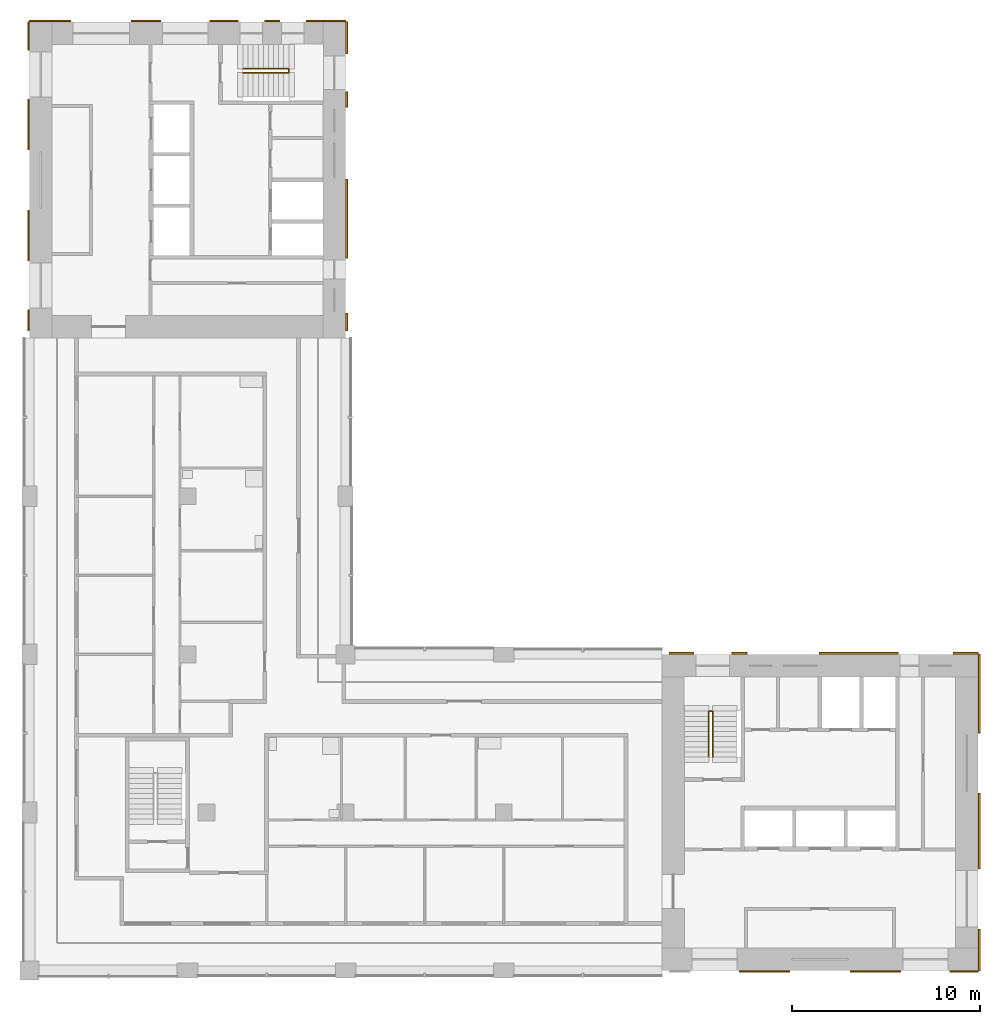
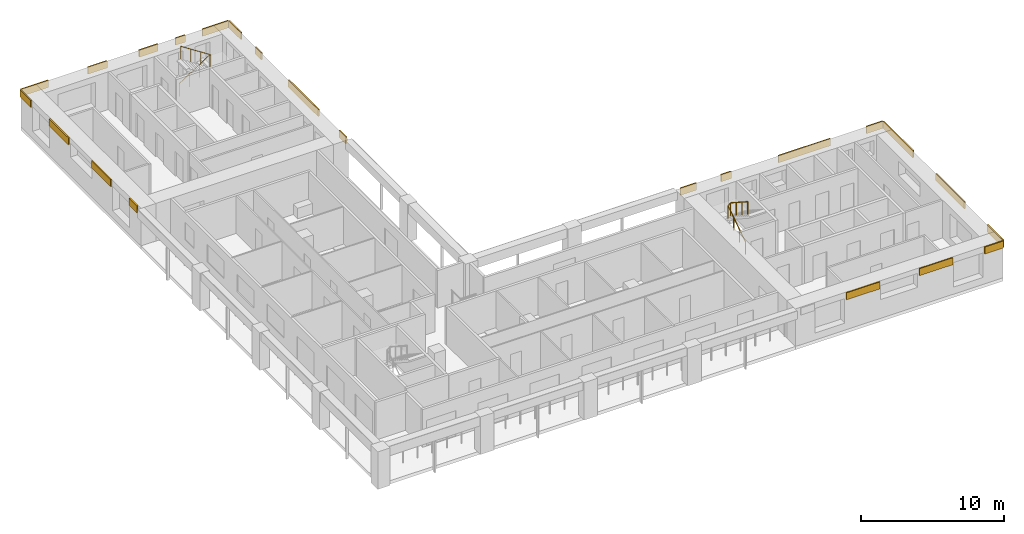
# One storey, part 8 of 9: 23 shading devices, 2 railings.
"""IFC4 building model written with IfcOpenShell, lengths in metres."""

from ifc_helpers import new_model, si_unit, direction, frame, origin, origin_2d, place, context, subcontext, project, spatial, rectangle, circle, extrude, material, layer, layer_set, type_object, element, save


model = new_model("IFC4")

# Units and contexts
model_context = context("Model", 3, precision=1e-05, world=origin(), true_north=direction((0.0, 1.0)))
body_context = subcontext(model_context, "Body", "Model", "MODEL_VIEW")
ifc_project = project(units=[si_unit("LENGTHUNIT", "METRE"), si_unit("AREAUNIT", "SQUARE_METRE"), si_unit("VOLUMEUNIT", "CUBIC_METRE"), si_unit("PLANEANGLEUNIT", "RADIAN"), si_unit("MASSUNIT", "GRAM", prefix="KILO")], contexts=[model_context])

# Site, building, storey
site_placement = place(None, origin())
site = spatial("IfcSite", under=ifc_project, at=site_placement, CompositionType="ELEMENT")
building_placement = place(site_placement, origin())
building = spatial("IfcBuilding", under=site, at=building_placement, Name="Vermilion Gate Residences", CompositionType="ELEMENT")
storey_placement = place(building_placement, frame((0.0, 0.0, 249.199951171875)))
storey = spatial("IfcBuildingStorey", under=building, at=storey_placement, Name="L65", CompositionType="ELEMENT", Elevation=249.199951171875)

# Railings
ifc_material_1 = material(Name="Steel S355", Category="steel")
railing_type = type_object("IfcRailingType", Name="STAIR GUARD 1100 STEEL", PredefinedType="GUARDRAIL", material=ifc_material_1)
railing_1_placement = place(storey_placement, frame((44.5, 19.75, 0.175048828125)))
element("IfcRailing", 1, at=railing_1_placement, inside=storey, type_object=railing_type, Name="Stair well guard STA1-65", PredefinedType="GUARDRAIL", context=body_context, shape_type="SweptSolid", body=[
    extrude(circle(Radius=0.02392578125, at=origin_2d()), frame((0.0, 0.0, 1.076171875), z_axis=(0.0, 0.839153699163, 0.543894354798), x_axis=(-1.0, 0.0, 0.0)), (0.0, 0.0, 1.0), 2.895751953125),
    extrude(circle(Radius=0.02392578125, at=origin_2d()), frame((0.0, 2.429931640625, 2.65087890625), z_axis=(0.752405939678, 0.0, 0.658699705433), x_axis=(0.0, 1.0, 0.0)), (0.0, 0.0, 1.0), 0.265869140625),
    extrude(circle(Radius=0.02392578125, at=origin_2d()), frame((0.199951171875, 2.429931640625, 2.826171875), z_axis=(0.0, -0.839153699163, 0.543894354798), x_axis=(1.0, 0.0, 0.0)), (0.0, 0.0, 1.0), 2.895751953125),
    extrude(circle(Radius=0.02099609375, at=origin_2d()), origin(), (0.0, 0.0, 1.0), 1.052001953125),
    extrude(circle(Radius=0.02099609375, at=origin_2d()), frame((0.0, 0.81005859375, 0.52490234375)), (0.0, 0.0, 1.0), 1.052001953125),
    extrude(circle(Radius=0.02099609375, at=origin_2d()), frame((0.0, 1.619873046875, 1.050048828125)), (0.0, 0.0, 1.0), 1.052001953125),
    extrude(circle(Radius=0.02099609375, at=origin_2d()), frame((0.0, 2.429931640625, 1.574951171875)), (0.0, 0.0, 1.0), 1.052001953125),
    extrude(circle(Radius=0.02099609375, at=origin_2d()), frame((0.199951171875, 2.429931640625, 1.75)), (0.0, 0.0, 1.0), 1.052001953125),
    extrude(circle(Radius=0.02099609375, at=origin_2d()), frame((0.199951171875, 1.619873046875, 2.27490234375)), (0.0, 0.0, 1.0), 1.052001953125),
    extrude(circle(Radius=0.02099609375, at=origin_2d()), frame((0.199951171875, 0.81005859375, 2.800048828125)), (0.0, 0.0, 1.0), 1.052001953125),
    extrude(circle(Radius=0.02099609375, at=origin_2d()), frame((0.199951171875, 0.0, 3.324951171875)), (0.0, 0.0, 1.0), 1.052001953125),
])
railing_2_placement = place(storey_placement, frame((19.75, 56.300048828125, 0.175048828125)))
element("IfcRailing", 2, at=railing_2_placement, inside=storey, type_object=railing_type, Name="Stair well guard STB1-65", PredefinedType="GUARDRAIL", context=body_context, shape_type="SweptSolid", body=[
    extrude(circle(Radius=0.02392578125, at=origin_2d()), frame((0.0, 0.0, 1.076171875), z_axis=(0.839153699163, 0.0, 0.543894354798), x_axis=(0.0, 1.0, 0.0)), (0.0, 0.0, 1.0), 2.895751953125),
    extrude(circle(Radius=0.02392578125, at=origin_2d()), frame((2.429931640625, 0.0, 2.65087890625), z_axis=(0.0, -0.752405939678, 0.658699705433), x_axis=(1.0, 0.0, 0.0)), (0.0, 0.0, 1.0), 0.265869140625),
    extrude(circle(Radius=0.02392578125, at=origin_2d()), frame((2.429931640625, -0.199951171875, 2.826171875), z_axis=(-0.839153699163, 0.0, 0.543894354798), x_axis=(0.0, -1.0, 0.0)), (0.0, 0.0, 1.0), 2.895751953125),
    extrude(circle(Radius=0.02099609375, at=origin_2d()), origin(), (0.0, 0.0, 1.0), 1.052001953125),
    extrude(circle(Radius=0.02099609375, at=origin_2d()), frame((0.81005859375, 0.0, 0.52490234375)), (0.0, 0.0, 1.0), 1.052001953125),
    extrude(circle(Radius=0.02099609375, at=origin_2d()), frame((1.619873046875, 0.0, 1.050048828125)), (0.0, 0.0, 1.0), 1.052001953125),
    extrude(circle(Radius=0.02099609375, at=origin_2d()), frame((2.429931640625, 0.0, 1.574951171875)), (0.0, 0.0, 1.0), 1.052001953125),
    extrude(circle(Radius=0.02099609375, at=origin_2d()), frame((2.429931640625, -0.199951171875, 1.75)), (0.0, 0.0, 1.0), 1.052001953125),
    extrude(circle(Radius=0.02099609375, at=origin_2d()), frame((1.619873046875, -0.199951171875, 2.27490234375)), (0.0, 0.0, 1.0), 1.052001953125),
    extrude(circle(Radius=0.02099609375, at=origin_2d()), frame((0.81005859375, -0.199951171875, 2.800048828125)), (0.0, 0.0, 1.0), 1.052001953125),
    extrude(circle(Radius=0.02099609375, at=origin_2d()), frame((0.0, -0.199951171875, 3.324951171875)), (0.0, 0.0, 1.0), 1.052001953125),
])

# Shading devices
ifc_material_2 = material(Name="Extruded terracotta", Category="masonry")
ifc_layer = layer(ifc_material_2, 0.10009765625)
ifc_layer_set = layer_set([ifc_layer], Name="TERRACOTTA SPANDREL BAND 600 X 100")
shading_device_type = type_object("IfcShadingDeviceType", Name="TERRACOTTA SPANDREL BAND 600 X 100", PredefinedType="USERDEFINED", material=ifc_layer_set)
for number, where, z_axis, x_axis, name in (
    (3, (47.449951171875, 8.35009765625, 2.6201171875), (0.0, 0.0, 1.0), (1.0, 0.0, 0.0), "SPANDREL BAND"),
    (4, (53.35009765625, 8.35009765625, 2.6201171875), (0.0, 0.0, 1.0), (1.0, 0.0, 0.0), "SPANDREL BAND"),
):
    element("IfcShadingDevice", number, at=place(storey_placement, frame(where, z_axis=z_axis, x_axis=x_axis)), inside=storey, type_object=shading_device_type, Name=name, ObjectType="BAND", PredefinedType="USERDEFINED", context=body_context, shape_type="SweptSolid", body=[
        extrude(rectangle(XDim=2.699951171875, YDim=0.10009765625, at=origin_2d()), origin(), (0.0, 0.0, 1.0), 0.60009765625),
    ])
shading_device_1_placement = place(storey_placement, frame((58.050048828125, 8.35009765625, 2.6201171875), z_axis=(0.0, 0.0, 1.0), x_axis=(1.0, 0.0, 0.0)))
element("IfcShadingDevice", 5, at=shading_device_1_placement, inside=storey, type_object=shading_device_type, Name="SPANDREL BAND", ObjectType="BAND", PredefinedType="USERDEFINED", context=body_context, shape_type="SweptSolid", body=[
    extrude(rectangle(XDim=1.5, YDim=0.10009765625, at=origin_2d()), origin(), (0.0, 0.0, 1.0), 0.60009765625),
])
shading_device_2_placement = place(storey_placement, frame((43.050048828125, 25.25, 2.6201171875), z_axis=(0.0, 0.0, 1.0), x_axis=(1.0, 0.0, 0.0)))
element("IfcShadingDevice", 6, at=shading_device_2_placement, inside=storey, type_object=shading_device_type, Name="SPANDREL BAND", ObjectType="BAND", PredefinedType="USERDEFINED", context=body_context, shape_type="SweptSolid", body=[
    extrude(rectangle(XDim=1.300048828125, YDim=0.10009765625, at=origin_2d()), origin(), (0.0, 0.0, 1.0), 0.60009765625),
])
shading_device_3_placement = place(storey_placement, frame((46.121826171875, 25.25, 2.6201171875), z_axis=(0.0, 0.0, 1.0), x_axis=(1.0, 0.0, 0.0)))
element("IfcShadingDevice", 7, at=shading_device_3_placement, inside=storey, type_object=shading_device_type, Name="SPANDREL BAND", ObjectType="BAND", PredefinedType="USERDEFINED", context=body_context, shape_type="SweptSolid", body=[
    extrude(rectangle(XDim=0.84375, YDim=0.10009765625, at=origin_2d()), origin(), (0.0, 0.0, 1.0), 0.60009765625),
])
shading_device_4_placement = place(storey_placement, frame((52.449951171875, 25.25, 2.6201171875), z_axis=(0.0, 0.0, 1.0), x_axis=(1.0, 0.0, 0.0)))
element("IfcShadingDevice", 8, at=shading_device_4_placement, inside=storey, type_object=shading_device_type, Name="SPANDREL BAND", ObjectType="BAND", PredefinedType="USERDEFINED", context=body_context, shape_type="SweptSolid", body=[
    extrude(rectangle(XDim=4.199951171875, YDim=0.10009765625, at=origin_2d()), origin(), (0.0, 0.0, 1.0), 0.60009765625),
])
shading_device_5_placement = place(storey_placement, frame((58.137451171875, 25.25, 2.6201171875), z_axis=(0.0, 0.0, 1.0), x_axis=(1.0, 0.0, 0.0)))
element("IfcShadingDevice", 9, at=shading_device_5_placement, inside=storey, type_object=shading_device_type, Name="SPANDREL BAND", ObjectType="BAND", PredefinedType="USERDEFINED", context=body_context, shape_type="SweptSolid", body=[
    extrude(rectangle(XDim=1.324951171875, YDim=0.10009765625, at=origin_2d()), origin(), (0.0, 0.0, 1.0), 0.60009765625),
])
shading_device_6_placement = place(storey_placement, frame((58.85009765625, 9.50244140625, 2.6201171875), z_axis=(0.0, 0.0, 1.0), x_axis=(0.0, 1.0, 0.0)))
element("IfcShadingDevice", 10, at=shading_device_6_placement, inside=storey, type_object=shading_device_type, Name="SPANDREL BAND", ObjectType="BAND", PredefinedType="USERDEFINED", context=body_context, shape_type="SweptSolid", body=[
    extrude(rectangle(XDim=2.205078125, YDim=0.10009765625, at=origin_2d()), origin(), (0.0, 0.0, 1.0), 0.60009765625),
])
shading_device_7_placement = place(storey_placement, frame((58.85009765625, 15.8125, 2.6201171875), z_axis=(0.0, 0.0, 1.0), x_axis=(0.0, 1.0, 0.0)))
element("IfcShadingDevice", 11, at=shading_device_7_placement, inside=storey, type_object=shading_device_type, Name="SPANDREL BAND", ObjectType="BAND", PredefinedType="USERDEFINED", context=body_context, shape_type="SweptSolid", body=[
    extrude(rectangle(XDim=4.014892578125, YDim=0.10009765625, at=origin_2d()), origin(), (0.0, 0.0, 1.0), 0.60009765625),
])
shading_device_8_placement = place(storey_placement, frame((58.85009765625, 23.110107421875, 2.6201171875), z_axis=(0.0, 0.0, 1.0), x_axis=(0.0, 1.0, 0.0)))
element("IfcShadingDevice", 12, at=shading_device_8_placement, inside=storey, type_object=shading_device_type, Name="SPANDREL BAND", ObjectType="BAND", PredefinedType="USERDEFINED", context=body_context, shape_type="SweptSolid", body=[
    extrude(rectangle(XDim=4.179931640625, YDim=0.10009765625, at=origin_2d()), origin(), (0.0, 0.0, 1.0), 0.60009765625),
])
shading_device_9_placement = place(storey_placement, frame((9.50244140625, 58.85009765625, 2.6201171875), z_axis=(0.0, 0.0, 1.0), x_axis=(1.0, 0.0, 0.0)))
element("IfcShadingDevice", 13, at=shading_device_9_placement, inside=storey, type_object=shading_device_type, Name="SPANDREL BAND", ObjectType="BAND", PredefinedType="USERDEFINED", context=body_context, shape_type="SweptSolid", body=[
    extrude(rectangle(XDim=2.205078125, YDim=0.10009765625, at=origin_2d()), origin(), (0.0, 0.0, 1.0), 0.60009765625),
])
shading_device_10_placement = place(storey_placement, frame((14.590087890625, 58.85009765625, 2.6201171875), z_axis=(0.0, 0.0, 1.0), x_axis=(1.0, 0.0, 0.0)))
element("IfcShadingDevice", 14, at=shading_device_10_placement, inside=storey, type_object=shading_device_type, Name="SPANDREL BAND", ObjectType="BAND", PredefinedType="USERDEFINED", context=body_context, shape_type="SweptSolid", body=[
    extrude(rectangle(XDim=1.570068359375, YDim=0.10009765625, at=origin_2d()), origin(), (0.0, 0.0, 1.0), 0.60009765625),
])
shading_device_11_placement = place(storey_placement, frame((18.734130859375, 58.85009765625, 2.6201171875), z_axis=(0.0, 0.0, 1.0), x_axis=(1.0, 0.0, 0.0)))
element("IfcShadingDevice", 15, at=shading_device_11_placement, inside=storey, type_object=shading_device_type, Name="SPANDREL BAND", ObjectType="BAND", PredefinedType="USERDEFINED", context=body_context, shape_type="SweptSolid", body=[
    extrude(rectangle(XDim=1.518310546875, YDim=0.10009765625, at=origin_2d()), origin(), (0.0, 0.0, 1.0), 0.60009765625),
])
shading_device_12_placement = place(storey_placement, frame((21.294921875, 58.85009765625, 2.6201171875), z_axis=(0.0, 0.0, 1.0), x_axis=(1.0, 0.0, 0.0)))
element("IfcShadingDevice", 16, at=shading_device_12_placement, inside=storey, type_object=shading_device_type, Name="SPANDREL BAND", ObjectType="BAND", PredefinedType="USERDEFINED", context=body_context, shape_type="SweptSolid", body=[
    extrude(rectangle(XDim=0.803466796875, YDim=0.10009765625, at=origin_2d()), origin(), (0.0, 0.0, 1.0), 0.60009765625),
])
shading_device_13_placement = place(storey_placement, frame((24.1484375, 58.85009765625, 2.6201171875), z_axis=(0.0, 0.0, 1.0), x_axis=(1.0, 0.0, 0.0)))
element("IfcShadingDevice", 17, at=shading_device_13_placement, inside=storey, type_object=shading_device_type, Name="SPANDREL BAND", ObjectType="BAND", PredefinedType="USERDEFINED", context=body_context, shape_type="SweptSolid", body=[
    extrude(rectangle(XDim=2.103271484375, YDim=0.10009765625, at=origin_2d()), origin(), (0.0, 0.0, 1.0), 0.60009765625),
])
shading_device_14_placement = place(storey_placement, frame((8.35009765625, 42.949951171875, 2.6201171875), z_axis=(0.0, 0.0, 1.0), x_axis=(0.0, 1.0, 0.0)))
element("IfcShadingDevice", 18, at=shading_device_14_placement, inside=storey, type_object=shading_device_type, Name="SPANDREL BAND", ObjectType="BAND", PredefinedType="USERDEFINED", context=body_context, shape_type="SweptSolid", body=[
    extrude(rectangle(XDim=1.10009765625, YDim=0.10009765625, at=origin_2d()), origin(), (0.0, 0.0, 1.0), 0.60009765625),
])
for number, where, z_axis, x_axis, name in (
    (19, (8.35009765625, 47.449951171875, 2.6201171875), (0.0, 0.0, 1.0), (0.0, 1.0, 0.0), "SPANDREL BAND"),
    (20, (8.35009765625, 53.35009765625, 2.6201171875), (0.0, 0.0, 1.0), (0.0, 1.0, 0.0), "SPANDREL BAND"),
):
    element("IfcShadingDevice", number, at=place(storey_placement, frame(where, z_axis=z_axis, x_axis=x_axis)), inside=storey, type_object=shading_device_type, Name=name, ObjectType="BAND", PredefinedType="USERDEFINED", context=body_context, shape_type="SweptSolid", body=[
        extrude(rectangle(XDim=2.699951171875, YDim=0.10009765625, at=origin_2d()), origin(), (0.0, 0.0, 1.0), 0.60009765625),
    ])
shading_device_15_placement = place(storey_placement, frame((8.35009765625, 58.050048828125, 2.6201171875), z_axis=(0.0, 0.0, 1.0), x_axis=(0.0, 1.0, 0.0)))
element("IfcShadingDevice", 21, at=shading_device_15_placement, inside=storey, type_object=shading_device_type, Name="SPANDREL BAND", ObjectType="BAND", PredefinedType="USERDEFINED", context=body_context, shape_type="SweptSolid", body=[
    extrude(rectangle(XDim=1.5, YDim=0.10009765625, at=origin_2d()), origin(), (0.0, 0.0, 1.0), 0.60009765625),
])
shading_device_16_placement = place(storey_placement, frame((25.25, 42.862548828125, 2.6201171875), z_axis=(0.0, 0.0, 1.0), x_axis=(0.0, 1.0, 0.0)))
element("IfcShadingDevice", 22, at=shading_device_16_placement, inside=storey, type_object=shading_device_type, Name="SPANDREL BAND", ObjectType="BAND", PredefinedType="USERDEFINED", context=body_context, shape_type="SweptSolid", body=[
    extrude(rectangle(XDim=0.925048828125, YDim=0.10009765625, at=origin_2d()), origin(), (0.0, 0.0, 1.0), 0.60009765625),
])
shading_device_17_placement = place(storey_placement, frame((25.25, 48.35009765625, 2.6201171875), z_axis=(0.0, 0.0, 1.0), x_axis=(0.0, 1.0, 0.0)))
element("IfcShadingDevice", 23, at=shading_device_17_placement, inside=storey, type_object=shading_device_type, Name="SPANDREL BAND", ObjectType="BAND", PredefinedType="USERDEFINED", context=body_context, shape_type="SweptSolid", body=[
    extrude(rectangle(XDim=4.199951171875, YDim=0.10009765625, at=origin_2d()), origin(), (0.0, 0.0, 1.0), 0.60009765625),
])
shading_device_18_placement = place(storey_placement, frame((25.25, 54.67822265625, 2.6201171875), z_axis=(0.0, 0.0, 1.0), x_axis=(0.0, 1.0, 0.0)))
element("IfcShadingDevice", 24, at=shading_device_18_placement, inside=storey, type_object=shading_device_type, Name="SPANDREL BAND", ObjectType="BAND", PredefinedType="USERDEFINED", context=body_context, shape_type="SweptSolid", body=[
    extrude(rectangle(XDim=0.84375, YDim=0.10009765625, at=origin_2d()), origin(), (0.0, 0.0, 1.0), 0.60009765625),
])
shading_device_19_placement = place(storey_placement, frame((25.25, 57.949951171875, 2.6201171875), z_axis=(0.0, 0.0, 1.0), x_axis=(0.0, 1.0, 0.0)))
element("IfcShadingDevice", 25, at=shading_device_19_placement, inside=storey, type_object=shading_device_type, Name="SPANDREL BAND", ObjectType="BAND", PredefinedType="USERDEFINED", context=body_context, shape_type="SweptSolid", body=[
    extrude(rectangle(XDim=1.699951171875, YDim=0.10009765625, at=origin_2d()), origin(), (0.0, 0.0, 1.0), 0.60009765625),
])

save(model, "model.ifc")
